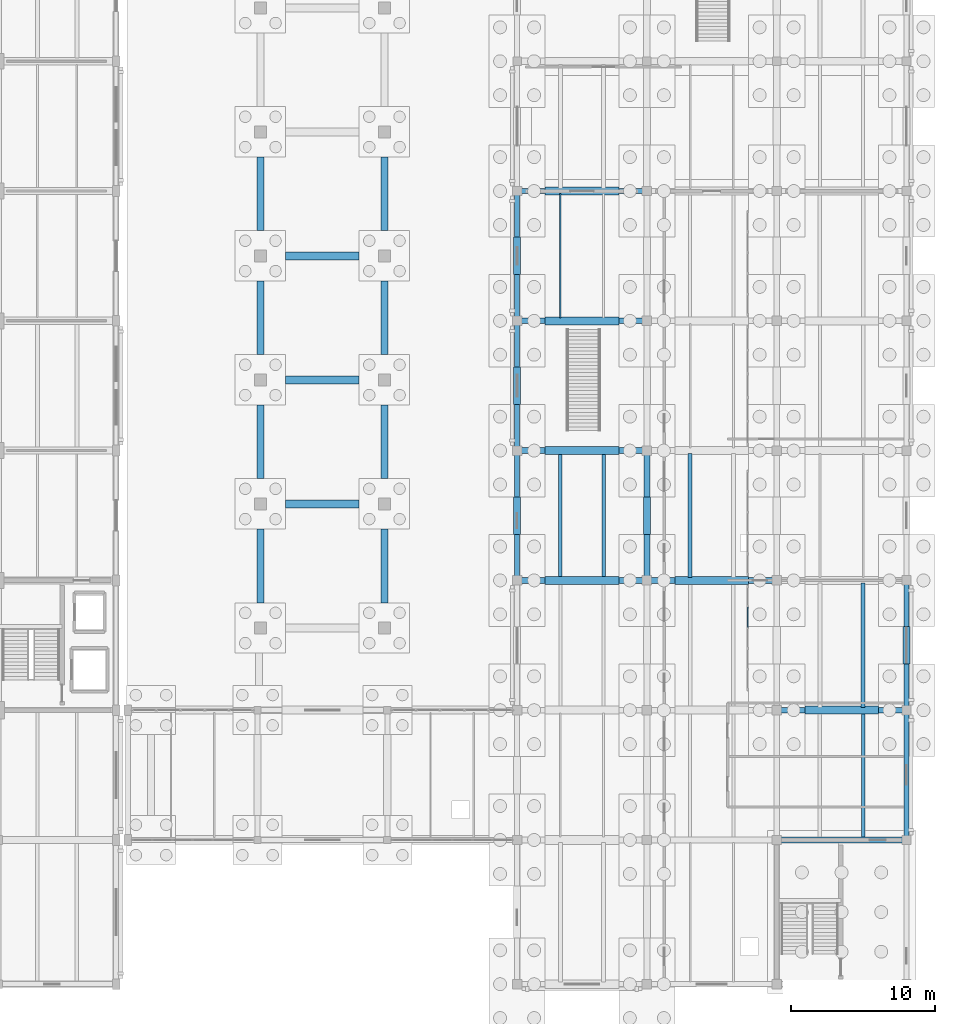
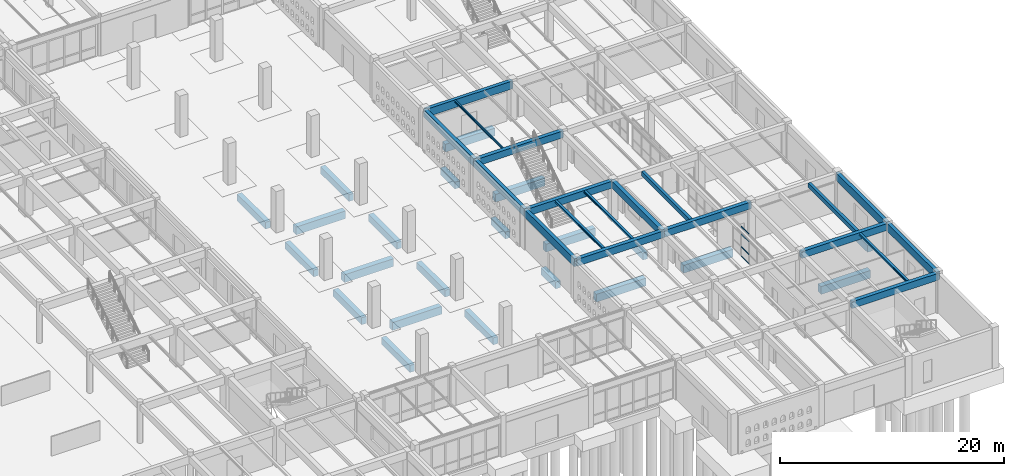
# One storey, part 115 of 186: 41 beams, 4 members, 1 element without a shape of its own.
"""IFC4 building model written with IfcOpenShell, lengths in metres."""

from ifc_helpers import new_model, si_unit, direction, frame, origin, origin_2d, place, context, subcontext, project, spatial, rectangle, hollow_rectangle, i_section, extrude, material, layer, layer_set, material_profile, profile_set, type_object, element, aggregate, save


model = new_model("IFC4")

# Units and contexts
model_context = context("Model", 3, precision=1e-05, world=origin(), true_north=direction((0.0, 1.0)))
body_context = subcontext(model_context, "Body", "Model", "MODEL_VIEW")
ifc_project = project(units=[si_unit("LENGTHUNIT", "METRE"), si_unit("AREAUNIT", "SQUARE_METRE"), si_unit("VOLUMEUNIT", "CUBIC_METRE"), si_unit("PLANEANGLEUNIT", "RADIAN"), si_unit("MASSUNIT", "GRAM", prefix="KILO")], contexts=[model_context])

# Site, building, storey
site_placement = place(None, origin())
site = spatial("IfcSite", under=ifc_project, at=site_placement, CompositionType="ELEMENT")
building_placement = place(site_placement, origin())
building = spatial("IfcBuilding", under=site, at=building_placement, Name="Ornek Quay Market", CompositionType="ELEMENT")
storey_placement = place(building_placement, origin())
storey = spatial("IfcBuildingStorey", under=building, at=storey_placement, Name="L00", CompositionType="ELEMENT", Elevation=0.0)

# Beams
ifc_material_1 = material(Name="Concrete C35/45", Category="concrete")
ifc_material_profile_1 = material_profile(ifc_material_1, rectangle(XDim=0.39990234375, YDim=0.75, at=origin_2d()), Name="RC 400x750", Category="concrete")
ifc_profile_set_1 = profile_set([ifc_material_profile_1], Name="Concrete C35/45")
beam_type_1 = type_object("IfcBeamType", Name="BM-CS-400x750", PredefinedType="BEAM", material=ifc_profile_set_1)
for number, where, z_axis, x_axis, name in (
    (1, (171.0, 20.0, 3.875), (1.0, 0.0, 0.0), (0.0, 1.0, 0.0), "Primary beam B-CS1-003"),
    (2, (171.0, 29.0, 3.875), (1.0, 0.0, 0.0), (0.0, 1.0, 0.0), "Primary beam B-CS1-006"),
    (3, (153.0, 38.0, 3.875), (1.0, 0.0, 0.0), (0.0, 1.0, 0.0), "Primary beam B-CS1-007"),
    (4, (162.0, 38.0, 3.875), (1.0, 0.0, 0.0), (0.0, 1.0, 0.0), "Primary beam B-CS1-008"),
    (5, (153.0, 47.0, 3.875), (1.0, 0.0, 0.0), (0.0, 1.0, 0.0), "Primary beam B-CS1-010"),
    (6, (153.0, 56.0, 3.875), (1.0, 0.0, 0.0), (0.0, 1.0, 0.0), "Primary beam B-CS1-013"),
    (7, (162.0, 38.0, 3.875), (0.0, 1.0, 0.0), (-1.0, 0.0, 0.0), "Primary beam B-CS1-019"),
):
    element("IfcBeam", number, at=place(storey_placement, frame(where, z_axis=z_axis, x_axis=x_axis)), inside=storey, type_object=beam_type_1, Name=name, PredefinedType="BEAM", context=body_context, shape_type="SweptSolid", body=[
        extrude(rectangle(XDim=0.39990234375, YDim=0.75, at=origin_2d()), origin(), (0.0, 0.0, 1.0), 9.0),
    ])
ifc_material_profile_2 = material_profile(ifc_material_1, rectangle(XDim=0.5, YDim=0.75, at=origin_2d()), Name="RC 500x750", Category="concrete")
ifc_profile_set_2 = profile_set([ifc_material_profile_2], Name="Concrete C35/45")
beam_type_2 = type_object("IfcBeamType", Name="BM-GB-500x750", PredefinedType="BEAM", material=ifc_profile_set_2)
beam_1_placement = place(storey_placement, frame((135.199951171875, 36.449951171875, -0.574951171875), z_axis=(0.0, 1.0, 0.0), x_axis=(-1.0, 0.0, 0.0)))
element("IfcBeam", 8, at=beam_1_placement, inside=storey, type_object=beam_type_2, Name="Ground tie beam GB-371", PredefinedType="BEAM", context=body_context, shape_type="SweptSolid", body=[
    extrude(rectangle(XDim=0.5, YDim=0.75, at=origin_2d()), origin(), (0.0, 0.0, 1.0), 5.10009765625),
])
beam_2_placement = place(storey_placement, frame((135.199951171875, 45.050048828125, -0.574951171875), z_axis=(0.0, 1.0, 0.0), x_axis=(-1.0, 0.0, 0.0)))
element("IfcBeam", 9, at=beam_2_placement, inside=storey, type_object=beam_type_2, Name="Ground tie beam GB-372", PredefinedType="BEAM", context=body_context, shape_type="SweptSolid", body=[
    extrude(rectangle(XDim=0.5, YDim=0.75, at=origin_2d()), origin(), (0.0, 0.0, 1.0), 5.099853515625),
])
for number, where, z_axis, x_axis, name in (
    (10, (135.199951171875, 53.64990234375, -0.574951171875), (0.0, 1.0, 0.0), (-1.0, 0.0, 0.0), "Ground tie beam GB-373"),
    (11, (135.199951171875, 62.25, -0.574951171875), (0.0, 1.0, 0.0), (-1.0, 0.0, 0.0), "Ground tie beam GB-374"),
    (12, (143.800048828125, 36.449951171875, -0.574951171875), (0.0, 1.0, 0.0), (-1.0, 0.0, 0.0), "Ground tie beam GB-377"),
):
    element("IfcBeam", number, at=place(storey_placement, frame(where, z_axis=z_axis, x_axis=x_axis)), inside=storey, type_object=beam_type_2, Name=name, PredefinedType="BEAM", context=body_context, shape_type="SweptSolid", body=[
        extrude(rectangle(XDim=0.5, YDim=0.75, at=origin_2d()), origin(), (0.0, 0.0, 1.0), 5.10009765625),
    ])
beam_3_placement = place(storey_placement, frame((143.800048828125, 45.050048828125, -0.574951171875), z_axis=(0.0, 1.0, 0.0), x_axis=(-1.0, 0.0, 0.0)))
element("IfcBeam", 13, at=beam_3_placement, inside=storey, type_object=beam_type_2, Name="Ground tie beam GB-378", PredefinedType="BEAM", context=body_context, shape_type="SweptSolid", body=[
    extrude(rectangle(XDim=0.5, YDim=0.75, at=origin_2d()), origin(), (0.0, 0.0, 1.0), 5.099853515625),
])
for number, where, z_axis, x_axis, name in (
    (14, (143.800048828125, 53.64990234375, -0.574951171875), (0.0, 1.0, 0.0), (-1.0, 0.0, 0.0), "Ground tie beam GB-379"),
    (15, (143.800048828125, 62.25, -0.574951171875), (0.0, 1.0, 0.0), (-1.0, 0.0, 0.0), "Ground tie beam GB-380"),
):
    element("IfcBeam", number, at=place(storey_placement, frame(where, z_axis=z_axis, x_axis=x_axis)), inside=storey, type_object=beam_type_2, Name=name, PredefinedType="BEAM", context=body_context, shape_type="SweptSolid", body=[
        extrude(rectangle(XDim=0.5, YDim=0.75, at=origin_2d()), origin(), (0.0, 0.0, 1.0), 5.10009765625),
    ])
for number, where, z_axis, x_axis, name in (
    (16, (153.0, 41.199951171875, -0.574951171875), (0.0, 1.0, 0.0), (-1.0, 0.0, 0.0), "Ground tie beam GB-391"),
    (17, (153.0, 50.199951171875, -0.574951171875), (0.0, 1.0, 0.0), (-1.0, 0.0, 0.0), "Ground tie beam GB-392"),
    (18, (153.0, 59.199951171875, -0.574951171875), (0.0, 1.0, 0.0), (-1.0, 0.0, 0.0), "Ground tie beam GB-393"),
    (19, (162.0, 41.199951171875, -0.574951171875), (0.0, 1.0, 0.0), (-1.0, 0.0, 0.0), "Ground tie beam GB-403"),
    (20, (180.0, 32.199951171875, -0.574951171875), (0.0, 1.0, 0.0), (-1.0, 0.0, 0.0), "Ground tie beam GB-419"),
):
    element("IfcBeam", number, at=place(storey_placement, frame(where, z_axis=z_axis, x_axis=x_axis)), inside=storey, type_object=beam_type_2, Name=name, PredefinedType="BEAM", context=body_context, shape_type="SweptSolid", body=[
        extrude(rectangle(XDim=0.5, YDim=0.75, at=origin_2d()), origin(), (0.0, 0.0, 1.0), 2.60009765625),
    ])
ifc_material_profile_3 = material_profile(ifc_material_1, rectangle(XDim=0.550048828125, YDim=0.85009765625, at=origin_2d()), Name="RC 550x850", Category="concrete")
ifc_profile_set_3 = profile_set([ifc_material_profile_3], Name="Concrete C35/45")
beam_type_3 = type_object("IfcBeamType", Name="BM-GB-550x850", PredefinedType="BEAM", material=ifc_profile_set_3)
for number, where, z_axis, x_axis, name in (
    (21, (172.949951171875, 29.0, -0.625), (1.0, 0.0, 0.0), (0.0, 1.0, 0.0), "Ground tie beam GB-316"),
    (22, (154.949951171875, 38.0, -0.625), (1.0, 0.0, 0.0), (0.0, 1.0, 0.0), "Ground tie beam GB-318"),
    (23, (163.949951171875, 38.0, -0.625), (1.0, 0.0, 0.0), (0.0, 1.0, 0.0), "Ground tie beam GB-319"),
    (24, (136.949951171875, 43.300048828125, -0.625), (1.0, 0.0, 0.0), (0.0, 1.0, 0.0), "Ground tie beam GB-321"),
    (25, (154.949951171875, 47.0, -0.625), (1.0, 0.0, 0.0), (0.0, 1.0, 0.0), "Ground tie beam GB-322"),
    (26, (136.949951171875, 51.89990234375, -0.625), (1.0, 0.0, 0.0), (0.0, 1.0, 0.0), "Ground tie beam GB-325"),
    (27, (154.949951171875, 56.0, -0.625), (1.0, 0.0, 0.0), (0.0, 1.0, 0.0), "Ground tie beam GB-326"),
    (28, (136.949951171875, 60.5, -0.625), (1.0, 0.0, 0.0), (0.0, 1.0, 0.0), "Ground tie beam GB-329"),
    (29, (154.949951171875, 65.0, -0.625), (1.0, 0.0, 0.0), (0.0, 1.0, 0.0), "Ground tie beam GB-330"),
):
    element("IfcBeam", number, at=place(storey_placement, frame(where, z_axis=z_axis, x_axis=x_axis)), inside=storey, type_object=beam_type_3, Name=name, PredefinedType="BEAM", context=body_context, shape_type="SweptSolid", body=[
        extrude(rectangle(XDim=0.550048828125, YDim=0.85009765625, at=origin_2d()), origin(), (0.0, 0.0, 1.0), 5.10009765625),
    ])
ifc_material_profile_4 = material_profile(ifc_material_1, rectangle(XDim=0.280029296875, YDim=0.5, at=origin_2d()), Name="RC 280x500", Category="concrete")
ifc_profile_set_4 = profile_set([ifc_material_profile_4], Name="Concrete C35/45")
beam_type_4 = type_object("IfcBeamType", Name="BM-SEC-280x500", PredefinedType="JOIST", material=ifc_profile_set_4)
for number, where, z_axis, x_axis, name in (
    (30, (165.0, 38.19189453125, 4.0), (0.0, 1.0, 0.0), (-1.0, 0.0, 0.0), "Secondary joist B-SC2-081"),
    (31, (177.0, 29.19189453125, 4.0), (0.0, 1.0, 0.0), (-1.0, 0.0, 0.0), "Secondary joist B-SC2-084"),
):
    element("IfcBeam", number, at=place(storey_placement, frame(where, z_axis=z_axis, x_axis=x_axis)), inside=storey, type_object=beam_type_4, Name=name, PredefinedType="JOIST", context=body_context, shape_type="SweptSolid", body=[
        extrude(rectangle(XDim=0.280029296875, YDim=0.5, at=origin_2d()), origin(), (0.0, 0.0, 1.0), 8.6162109375),
    ])
ifc_material_2 = material(Name="Concrete C40/50", Category="concrete")
ifc_material_profile_5 = material_profile(ifc_material_2, rectangle(XDim=0.35009765625, YDim=0.85009765625, at=origin_2d()), Name="RC 350x850", Category="concrete")
ifc_profile_set_5 = profile_set([ifc_material_profile_5], Name="Concrete C40/50")
beam_type_5 = type_object("IfcBeamType", Name="BM-SPN-350x850", PredefinedType="SPANDREL", material=ifc_profile_set_5)
for number, where, z_axis, x_axis, name in (
    (32, (153.0, 65.0, 3.804931640625), (1.0, 0.0, 0.0), (0.0, 1.0, 0.0), "Primary beam B-SP1-090"),
    (33, (153.0, 38.0, 3.824951171875), (0.0, 1.0, 0.0), (-1.0, 0.0, 0.0), "Primary beam B-SP1-122"),
    (34, (153.0, 47.0, 3.824951171875), (0.0, 1.0, 0.0), (-1.0, 0.0, 0.0), "Primary beam B-SP1-123"),
    (35, (153.0, 56.0, 3.824951171875), (0.0, 1.0, 0.0), (-1.0, 0.0, 0.0), "Primary beam B-SP1-124"),
    (36, (180.0, 20.0, 3.824951171875), (0.0, 1.0, 0.0), (-1.0, 0.0, 0.0), "Primary beam B-SP1-126"),
    (37, (180.0, 29.0, 3.824951171875), (0.0, 1.0, 0.0), (-1.0, 0.0, 0.0), "Primary beam B-SP1-127"),
):
    element("IfcBeam", number, at=place(storey_placement, frame(where, z_axis=z_axis, x_axis=x_axis)), inside=storey, type_object=beam_type_5, Name=name, PredefinedType="SPANDREL", context=body_context, shape_type="SweptSolid", body=[
        extrude(rectangle(XDim=0.35009765625, YDim=0.85009765625, at=origin_2d()), origin(), (0.0, 0.0, 1.0), 9.0),
    ])
ifc_material_3 = material(Name="Steel S355", Category="steel")
ifc_material_profile_6 = material_profile(ifc_material_3, i_section(OverallWidth=0.239990234375, OverallDepth=0.22998046875, WebThickness=0.007568359375, FlangeThickness=0.011962890625, FilletRadius=0.02099609375, at=origin_2d()), Name="HEA 240", Category="steel")
ifc_profile_set_6 = profile_set([ifc_material_profile_6], Name="Steel S355")
beam_type_6 = type_object("IfcBeamType", Name="BM-STL-HEA240", PredefinedType="BEAM", material=ifc_profile_set_6)
for number, where, z_axis, x_axis, name in (
    (38, (156.0, 38.19189453125, 4.135009765625), (0.0, 1.0, 0.0), (-1.0, 0.0, 0.0), "Secondary joist SB-14-015"),
    (39, (159.0, 38.19189453125, 4.135009765625), (0.0, 1.0, 0.0), (-1.0, 0.0, 0.0), "Secondary joist SB-14-016"),
    (40, (177.0, 20.19189453125, 4.135009765625), (0.0, 1.0, 0.0), (-1.0, 0.0, 0.0), "Secondary joist SB-14-020"),
):
    element("IfcBeam", number, at=place(storey_placement, frame(where, z_axis=z_axis, x_axis=x_axis)), inside=storey, type_object=beam_type_6, Name=name, PredefinedType="BEAM", context=body_context, shape_type="SweptSolid", body=[
        extrude(i_section(OverallWidth=0.239990234375, OverallDepth=0.22998046875, WebThickness=0.007568359375, FlangeThickness=0.011962890625, FilletRadius=0.02099609375, at=origin_2d()), origin(), (0.0, 0.0, 1.0), 8.6162109375),
    ])
ifc_material_profile_7 = material_profile(ifc_material_3, i_section(OverallWidth=0.1201171875, OverallDepth=0.239990234375, WebThickness=0.006103515625, FlangeThickness=0.009765625, FilletRadius=0.014892578125, at=origin_2d()), Name="IPE 240", Category="steel")
ifc_profile_set_7 = profile_set([ifc_material_profile_7], Name="Steel S355")
beam_type_7 = type_object("IfcBeamType", Name="BM-STL-IPE240", PredefinedType="JOIST", material=ifc_profile_set_7)
beam_4_placement = place(storey_placement, frame((156.0, 56.19189453125, 4.1298828125), z_axis=(0.0, 1.0, 0.0), x_axis=(-1.0, 0.0, 0.0)))
element("IfcBeam", 41, at=beam_4_placement, inside=storey, type_object=beam_type_7, Name="Secondary joist SB-04-037", PredefinedType="JOIST", context=body_context, shape_type="SweptSolid", body=[
    extrude(i_section(OverallWidth=0.1201171875, OverallDepth=0.239990234375, WebThickness=0.006103515625, FlangeThickness=0.009765625, FilletRadius=0.014892578125, at=origin_2d()), origin(), (0.0, 0.0, 1.0), 8.64111328125),
])

# Curtain wall, members
ifc_material_4 = material(Name="Anodised bronze aluminium and triple low-e glass", Category="aluminium")
ifc_layer = layer(ifc_material_4, 0.139892578125, Name="Anodised bronze aluminium and triple low-e glass", Category="aluminium")
ifc_layer_set = layer_set([ifc_layer], Name="Anodised bronze aluminium and triple low-e glass")
curtain_wall_type = type_object("IfcCurtainWallType", Name="CW-GALLERY-INT", PredefinedType="USERDEFINED", material=ifc_layer_set)
curtain_wall_placement = place(storey_placement, origin())
curtain_wall = element("IfcCurtainWall", 42, at=curtain_wall_placement, inside=storey, type_object=curtain_wall_type, Name="Curtain wall CW-159", ObjectType="CURTAIN WALL", PredefinedType="USERDEFINED")
ifc_material_5 = material(Name="Anodised aluminium 6063-T6", Category="aluminium")
ifc_material_profile_8 = material_profile(ifc_material_5, hollow_rectangle(XDim=0.06005859375, YDim=0.1201171875, WallThickness=0.00390625, at=origin_2d()), Name="CW-TRN-60x120", Category="aluminium")
ifc_profile_set_8 = profile_set([ifc_material_profile_8], Name="Anodised aluminium 6063-T6")
member_type = type_object("IfcMemberType", Name="CW-TRN-60x120", PredefinedType="USERDEFINED", material=ifc_profile_set_8)
member_1_placement = place(storey_placement, frame((169.0, 34.75, 0.030029296875), z_axis=(0.0, 1.0, 0.0), x_axis=(-1.0, 0.0, 0.0)))
member_1 = element("IfcMember", 43, at=member_1_placement, type_object=member_type, Name="CW-159 transom 4.1", ObjectType="TRANSOM", PredefinedType="USERDEFINED", context=body_context, shape_type="SweptSolid", body=[
    extrude(hollow_rectangle(XDim=0.06005859375, YDim=0.1201171875, WallThickness=0.00390625, at=origin_2d()), origin(), (0.0, 0.0, 1.0), 1.3798828125),
])
member_2_placement = place(storey_placement, frame((169.0, 34.75, 1.050048828125), z_axis=(0.0, 1.0, 0.0), x_axis=(-1.0, 0.0, 0.0)))
member_2 = element("IfcMember", 44, at=member_2_placement, type_object=member_type, Name="CW-159 transom 4.2", ObjectType="TRANSOM", PredefinedType="USERDEFINED", context=body_context, shape_type="SweptSolid", body=[
    extrude(hollow_rectangle(XDim=0.06005859375, YDim=0.1201171875, WallThickness=0.00390625, at=origin_2d()), origin(), (0.0, 0.0, 1.0), 1.3798828125),
])
member_3_placement = place(storey_placement, frame((169.0, 34.75, 2.449951171875), z_axis=(0.0, 1.0, 0.0), x_axis=(-1.0, 0.0, 0.0)))
member_3 = element("IfcMember", 45, at=member_3_placement, type_object=member_type, Name="CW-159 transom 4.3", ObjectType="TRANSOM", PredefinedType="USERDEFINED", context=body_context, shape_type="SweptSolid", body=[
    extrude(hollow_rectangle(XDim=0.06005859375, YDim=0.1201171875, WallThickness=0.00390625, at=origin_2d()), origin(), (0.0, 0.0, 1.0), 1.3798828125),
])
member_4_placement = place(storey_placement, frame((169.0, 34.75, 3.27001953125), z_axis=(0.0, 1.0, 0.0), x_axis=(-1.0, 0.0, 0.0)))
member_4 = element("IfcMember", 46, at=member_4_placement, type_object=member_type, Name="CW-159 transom 4.4", ObjectType="TRANSOM", PredefinedType="USERDEFINED", context=body_context, shape_type="SweptSolid", body=[
    extrude(hollow_rectangle(XDim=0.06005859375, YDim=0.1201171875, WallThickness=0.00390625, at=origin_2d()), origin(), (0.0, 0.0, 1.0), 1.3798828125),
])
aggregate(curtain_wall, [member_1, member_2, member_3, member_4])

save(model, "model.ifc")
